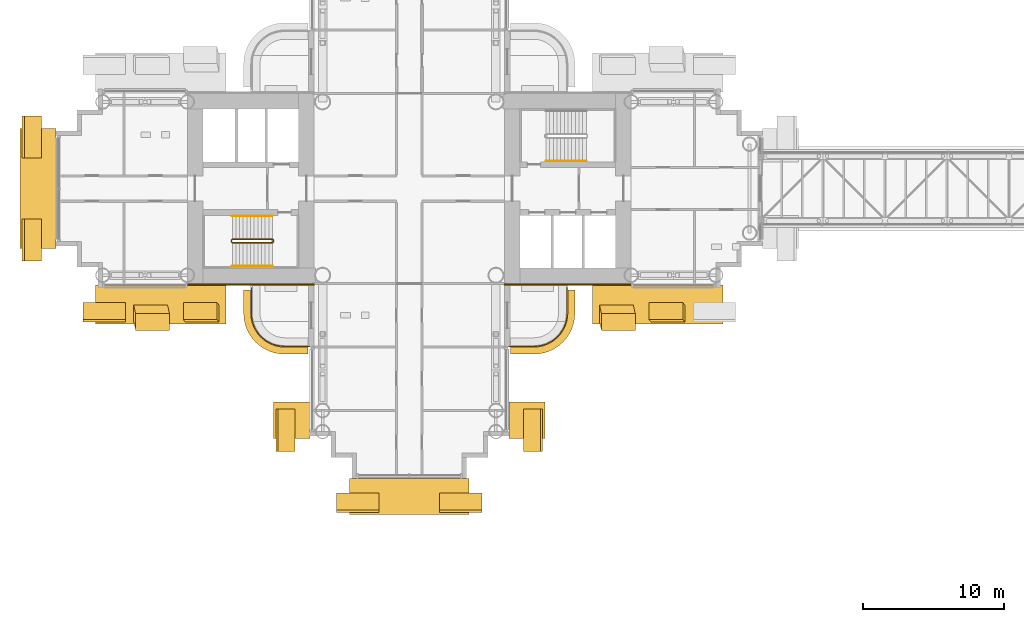
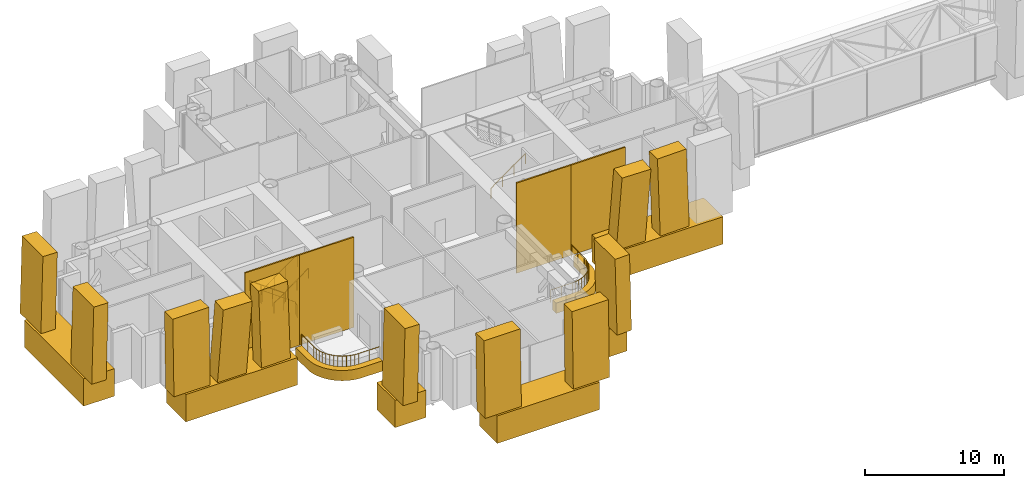
# One storey, part 23 of 27: 23 coverings, 6 railings.
"""IFC4 building model written with IfcOpenShell, lengths in metres."""

from ifc_helpers import new_model, si_unit, direction, frame, origin, origin_2d, place, context, subcontext, project, spatial, polyline, rectangle, circle, outline, extrude, material, layer, layer_set, material_profile, profile_set, type_object, element, save


model = new_model("IFC4")

# Units and contexts
model_context = context("Model", 3, precision=1e-05, world=origin(), true_north=direction((0.0, 1.0)))
body_context = subcontext(model_context, "Body", "Model", "MODEL_VIEW")
ifc_project = project(units=[si_unit("LENGTHUNIT", "METRE"), si_unit("AREAUNIT", "SQUARE_METRE"), si_unit("VOLUMEUNIT", "CUBIC_METRE"), si_unit("PLANEANGLEUNIT", "RADIAN"), si_unit("MASSUNIT", "GRAM", prefix="KILO")], contexts=[model_context])

# Site, building, storey
site_placement = place(None, origin())
site = spatial("IfcSite", under=ifc_project, at=site_placement, CompositionType="ELEMENT")
building_placement = place(site_placement, origin())
building = spatial("IfcBuilding", under=site, at=building_placement, Name="Ipe Terrace Towers", CompositionType="ELEMENT")
storey_placement = place(building_placement, frame((0.0, 0.0, 72.10009765625)))
storey = spatial("IfcBuildingStorey", under=building, at=storey_placement, Name="L19", CompositionType="ELEMENT", Elevation=72.10009765625)

# Railings
ifc_material_1 = material(Name="Stainless steel S316", Category="steel")
railing_type_1 = type_object("IfcRailingType", Name="GUARD 1100", PredefinedType="BALUSTRADE", material=ifc_material_1)
railing_1_placement = place(storey_placement, frame((-47.199951171875, -7.070068359375, -0.02001953125)))
element("IfcRailing", 1, at=railing_1_placement, inside=storey, type_object=railing_type_1, Name="guard", PredefinedType="BALUSTRADE", context=body_context, shape_type="SweptSolid", body=[
    extrude(circle(Radius=0.02392578125, at=origin_2d()), frame((0.0, 0.0, 1.076171875), z_axis=(0.0, -1.0, 0.0), x_axis=(1.0, 0.0, 0.0)), (0.0, 0.0, 1.0), 1.77783203125),
    extrude(circle(Radius=0.02392578125, at=origin_2d()), frame((0.0, -1.77783203125, 1.076171875), z_axis=(0.064635492184, -0.99790894031, 0.0), x_axis=(0.99790894031, 0.064635492184, 0.0)), (0.0, 0.0, 1.0), 0.309814453125),
    extrude(circle(Radius=0.02392578125, at=origin_2d()), frame((0.02001953125, -2.0869140625, 1.076171875), z_axis=(0.194892169718, -0.980824674538, 0.0), x_axis=(0.980824674538, 0.194892169718, 0.0)), (0.0, 0.0, 1.0), 0.306884765625),
    extrude(circle(Radius=0.02392578125, at=origin_2d()), frame((0.079833984375, -2.387939453125, 1.076171875), z_axis=(0.322415209212, -0.946598348228, 0.0), x_axis=(0.946598348228, 0.322415209212, 0.0)), (0.0, 0.0, 1.0), 0.307373046875),
    extrude(circle(Radius=0.02392578125, at=origin_2d()), frame((0.178955078125, -2.678955078125, 1.076171875), z_axis=(0.44212629539, -0.896952807524, 0.0), x_axis=(0.896952807524, 0.44212629539, 0.0)), (0.0, 0.0, 1.0), 0.3076171875),
    extrude(circle(Radius=0.02392578125, at=origin_2d()), frame((0.31494140625, -2.954833984375, 1.076171875), z_axis=(0.555066120228, -0.831806228742, 0.0), x_axis=(0.831806228742, 0.555066120228, 0.0)), (0.0, 0.0, 1.0), 0.307861328125),
    extrude(circle(Radius=0.02392578125, at=origin_2d()), frame((0.48583984375, -3.2109375, 1.076171875), z_axis=(0.658617227954, -0.752478137252, 0.0), x_axis=(0.752478137252, 0.658617227954, 0.0)), (0.0, 0.0, 1.0), 0.306884765625),
    extrude(circle(Radius=0.02392578125, at=origin_2d()), frame((0.68798828125, -3.44189453125, 1.076171875), z_axis=(0.752478137252, -0.658617227954, 0.0), x_axis=(0.658617227954, 0.752478137252, 0.0)), (0.0, 0.0, 1.0), 0.306884765625),
    extrude(circle(Radius=0.02392578125, at=origin_2d()), frame((0.9189453125, -3.64404296875, 1.076171875), z_axis=(0.831806228742, -0.555066120228, 0.0), x_axis=(0.555066120228, 0.831806228742, 0.0)), (0.0, 0.0, 1.0), 0.307861328125),
    extrude(circle(Radius=0.02392578125, at=origin_2d()), frame((1.175048828125, -3.81494140625, 1.076171875), z_axis=(0.896952807524, -0.44212629539, 0.0), x_axis=(0.44212629539, 0.896952807524, 0.0)), (0.0, 0.0, 1.0), 0.3076171875),
    extrude(circle(Radius=0.02392578125, at=origin_2d()), frame((1.450927734375, -3.950927734375, 1.076171875), z_axis=(0.946598348228, -0.322415209212, 0.0), x_axis=(0.322415209212, 0.946598348228, 0.0)), (0.0, 0.0, 1.0), 0.307373046875),
    extrude(circle(Radius=0.02392578125, at=origin_2d()), frame((1.741943359375, -4.050048828125, 1.076171875), z_axis=(0.980824674538, -0.194892169718, 0.0), x_axis=(0.194892169718, 0.980824674538, 0.0)), (0.0, 0.0, 1.0), 0.306884765625),
    extrude(circle(Radius=0.02392578125, at=origin_2d()), frame((2.04296875, -4.10986328125, 1.076171875), z_axis=(0.99790894031, -0.064635492184, 0.0), x_axis=(0.064635492184, 0.99790894031, 0.0)), (0.0, 0.0, 1.0), 0.309814453125),
    extrude(circle(Radius=0.02392578125, at=origin_2d()), frame((2.35205078125, -4.1298828125, 1.076171875), z_axis=(1.0, 0.0, 0.0), x_axis=(0.0, 1.0, 0.0)), (0.0, 0.0, 1.0), 1.77783203125),
    extrude(circle(Radius=0.02099609375, at=origin_2d()), origin(), (0.0, 0.0, 1.0), 1.052001953125),
    extrude(circle(Radius=0.02099609375, at=origin_2d()), frame((0.0, -0.888916015625, 0.0)), (0.0, 0.0, 1.0), 1.052001953125),
    extrude(circle(Radius=0.02099609375, at=origin_2d()), frame((0.0, -1.77783203125, 0.0)), (0.0, 0.0, 1.0), 1.052001953125),
    extrude(circle(Radius=0.02099609375, at=origin_2d()), frame((0.02001953125, -2.0869140625, 0.0)), (0.0, 0.0, 1.0), 1.052001953125),
    extrude(circle(Radius=0.02099609375, at=origin_2d()), frame((0.079833984375, -2.387939453125, 0.0)), (0.0, 0.0, 1.0), 1.052001953125),
    extrude(circle(Radius=0.02099609375, at=origin_2d()), frame((0.178955078125, -2.678955078125, 0.0)), (0.0, 0.0, 1.0), 1.052001953125),
    extrude(circle(Radius=0.02099609375, at=origin_2d()), frame((0.31494140625, -2.954833984375, 0.0)), (0.0, 0.0, 1.0), 1.052001953125),
    extrude(circle(Radius=0.02099609375, at=origin_2d()), frame((0.48583984375, -3.2109375, 0.0)), (0.0, 0.0, 1.0), 1.052001953125),
    extrude(circle(Radius=0.02099609375, at=origin_2d()), frame((0.68798828125, -3.44189453125, 0.0)), (0.0, 0.0, 1.0), 1.052001953125),
    extrude(circle(Radius=0.02099609375, at=origin_2d()), frame((0.9189453125, -3.64404296875, 0.0)), (0.0, 0.0, 1.0), 1.052001953125),
    extrude(circle(Radius=0.02099609375, at=origin_2d()), frame((1.175048828125, -3.81494140625, 0.0)), (0.0, 0.0, 1.0), 1.052001953125),
    extrude(circle(Radius=0.02099609375, at=origin_2d()), frame((1.450927734375, -3.950927734375, 0.0)), (0.0, 0.0, 1.0), 1.052001953125),
    extrude(circle(Radius=0.02099609375, at=origin_2d()), frame((1.741943359375, -4.050048828125, 0.0)), (0.0, 0.0, 1.0), 1.052001953125),
    extrude(circle(Radius=0.02099609375, at=origin_2d()), frame((2.04296875, -4.10986328125, 0.0)), (0.0, 0.0, 1.0), 1.052001953125),
    extrude(circle(Radius=0.02099609375, at=origin_2d()), frame((2.35205078125, -4.1298828125, 0.0)), (0.0, 0.0, 1.0), 1.052001953125),
    extrude(circle(Radius=0.02099609375, at=origin_2d()), frame((3.240966796875, -4.1298828125, 0.0)), (0.0, 0.0, 1.0), 1.052001953125),
    extrude(circle(Radius=0.02099609375, at=origin_2d()), frame((4.1298828125, -4.1298828125, 0.0)), (0.0, 0.0, 1.0), 1.052001953125),
])
railing_2_placement = place(storey_placement, frame((-28.929931640625, -11.199951171875, -0.02001953125)))
element("IfcRailing", 2, at=railing_2_placement, inside=storey, type_object=railing_type_1, Name="guard", PredefinedType="BALUSTRADE", context=body_context, shape_type="SweptSolid", body=[
    extrude(circle(Radius=0.02392578125, at=origin_2d()), frame((0.0, 0.0, 1.076171875), z_axis=(1.0, 0.0, 0.0), x_axis=(0.0, 1.0, 0.0)), (0.0, 0.0, 1.0), 1.77783203125),
    extrude(circle(Radius=0.02392578125, at=origin_2d()), frame((1.77783203125, 0.0, 1.076171875), z_axis=(0.99790894031, 0.064635492184, 0.0), x_axis=(-0.064635492184, 0.99790894031, 0.0)), (0.0, 0.0, 1.0), 0.309814453125),
    extrude(circle(Radius=0.02392578125, at=origin_2d()), frame((2.0869140625, 0.02001953125, 1.076171875), z_axis=(0.980824674538, 0.194892169718, 0.0), x_axis=(-0.194892169718, 0.980824674538, 0.0)), (0.0, 0.0, 1.0), 0.306884765625),
    extrude(circle(Radius=0.02392578125, at=origin_2d()), frame((2.387939453125, 0.079833984375, 1.076171875), z_axis=(0.946598348228, 0.322415209212, 0.0), x_axis=(-0.322415209212, 0.946598348228, 0.0)), (0.0, 0.0, 1.0), 0.307373046875),
    extrude(circle(Radius=0.02392578125, at=origin_2d()), frame((2.678955078125, 0.178955078125, 1.076171875), z_axis=(0.896952807524, 0.44212629539, 0.0), x_axis=(-0.44212629539, 0.896952807524, 0.0)), (0.0, 0.0, 1.0), 0.3076171875),
    extrude(circle(Radius=0.02392578125, at=origin_2d()), frame((2.954833984375, 0.31494140625, 1.076171875), z_axis=(0.831806228742, 0.555066120228, 0.0), x_axis=(-0.555066120228, 0.831806228742, 0.0)), (0.0, 0.0, 1.0), 0.307861328125),
    extrude(circle(Radius=0.02392578125, at=origin_2d()), frame((3.2109375, 0.48583984375, 1.076171875), z_axis=(0.752478137252, 0.658617227954, 0.0), x_axis=(-0.658617227954, 0.752478137252, 0.0)), (0.0, 0.0, 1.0), 0.306884765625),
    extrude(circle(Radius=0.02392578125, at=origin_2d()), frame((3.44189453125, 0.68798828125, 1.076171875), z_axis=(0.658617227954, 0.752478137252, 0.0), x_axis=(-0.752478137252, 0.658617227954, 0.0)), (0.0, 0.0, 1.0), 0.306884765625),
    extrude(circle(Radius=0.02392578125, at=origin_2d()), frame((3.64404296875, 0.9189453125, 1.076171875), z_axis=(0.555066120228, 0.831806228742, 0.0), x_axis=(-0.831806228742, 0.555066120228, 0.0)), (0.0, 0.0, 1.0), 0.307861328125),
    extrude(circle(Radius=0.02392578125, at=origin_2d()), frame((3.81494140625, 1.175048828125, 1.076171875), z_axis=(0.44212629539, 0.896952807524, 0.0), x_axis=(-0.896952807524, 0.44212629539, 0.0)), (0.0, 0.0, 1.0), 0.3076171875),
    extrude(circle(Radius=0.02392578125, at=origin_2d()), frame((3.950927734375, 1.450927734375, 1.076171875), z_axis=(0.322415209212, 0.946598348228, 0.0), x_axis=(-0.946598348228, 0.322415209212, 0.0)), (0.0, 0.0, 1.0), 0.307373046875),
    extrude(circle(Radius=0.02392578125, at=origin_2d()), frame((4.050048828125, 1.741943359375, 1.076171875), z_axis=(0.194892169718, 0.980824674538, 0.0), x_axis=(-0.980824674538, 0.194892169718, 0.0)), (0.0, 0.0, 1.0), 0.306884765625),
    extrude(circle(Radius=0.02392578125, at=origin_2d()), frame((4.10986328125, 2.04296875, 1.076171875), z_axis=(0.064635492184, 0.99790894031, 0.0), x_axis=(-0.99790894031, 0.064635492184, 0.0)), (0.0, 0.0, 1.0), 0.309814453125),
    extrude(circle(Radius=0.02392578125, at=origin_2d()), frame((4.1298828125, 2.35205078125, 1.076171875), z_axis=(0.0, 1.0, 0.0), x_axis=(-1.0, 0.0, 0.0)), (0.0, 0.0, 1.0), 1.77783203125),
    extrude(circle(Radius=0.02099609375, at=origin_2d()), origin(), (0.0, 0.0, 1.0), 1.052001953125),
    extrude(circle(Radius=0.02099609375, at=origin_2d()), frame((0.888916015625, 0.0, 0.0)), (0.0, 0.0, 1.0), 1.052001953125),
    extrude(circle(Radius=0.02099609375, at=origin_2d()), frame((1.77783203125, 0.0, 0.0)), (0.0, 0.0, 1.0), 1.052001953125),
    extrude(circle(Radius=0.02099609375, at=origin_2d()), frame((2.0869140625, 0.02001953125, 0.0)), (0.0, 0.0, 1.0), 1.052001953125),
    extrude(circle(Radius=0.02099609375, at=origin_2d()), frame((2.387939453125, 0.079833984375, 0.0)), (0.0, 0.0, 1.0), 1.052001953125),
    extrude(circle(Radius=0.02099609375, at=origin_2d()), frame((2.678955078125, 0.178955078125, 0.0)), (0.0, 0.0, 1.0), 1.052001953125),
    extrude(circle(Radius=0.02099609375, at=origin_2d()), frame((2.954833984375, 0.31494140625, 0.0)), (0.0, 0.0, 1.0), 1.052001953125),
    extrude(circle(Radius=0.02099609375, at=origin_2d()), frame((3.2109375, 0.48583984375, 0.0)), (0.0, 0.0, 1.0), 1.052001953125),
    extrude(circle(Radius=0.02099609375, at=origin_2d()), frame((3.44189453125, 0.68798828125, 0.0)), (0.0, 0.0, 1.0), 1.052001953125),
    extrude(circle(Radius=0.02099609375, at=origin_2d()), frame((3.64404296875, 0.9189453125, 0.0)), (0.0, 0.0, 1.0), 1.052001953125),
    extrude(circle(Radius=0.02099609375, at=origin_2d()), frame((3.81494140625, 1.175048828125, 0.0)), (0.0, 0.0, 1.0), 1.052001953125),
    extrude(circle(Radius=0.02099609375, at=origin_2d()), frame((3.950927734375, 1.450927734375, 0.0)), (0.0, 0.0, 1.0), 1.052001953125),
    extrude(circle(Radius=0.02099609375, at=origin_2d()), frame((4.050048828125, 1.741943359375, 0.0)), (0.0, 0.0, 1.0), 1.052001953125),
    extrude(circle(Radius=0.02099609375, at=origin_2d()), frame((4.10986328125, 2.04296875, 0.0)), (0.0, 0.0, 1.0), 1.052001953125),
    extrude(circle(Radius=0.02099609375, at=origin_2d()), frame((4.1298828125, 2.35205078125, 0.0)), (0.0, 0.0, 1.0), 1.052001953125),
    extrude(circle(Radius=0.02099609375, at=origin_2d()), frame((4.1298828125, 3.240966796875, 0.0)), (0.0, 0.0, 1.0), 1.052001953125),
    extrude(circle(Radius=0.02099609375, at=origin_2d()), frame((4.1298828125, 4.1298828125, 0.0)), (0.0, 0.0, 1.0), 1.052001953125),
])

# Coverings
ifc_material_2 = material(Name="Concrete C50/60 precast, buff finish", Category="concrete")
ifc_layer_1 = layer(ifc_material_2, 0.1201171875)
ifc_layer_set_1 = layer_set([ifc_layer_1], Name="STONE CORE CLADDING 120")
covering_type_1 = type_object("IfcCoveringType", Name="STONE CORE CLADDING 120", PredefinedType="CLADDING", material=ifc_layer_set_1)
covering_1_placement = place(storey_placement, frame((-49.5009765625, -6.81005859375, 0.0), z_axis=(0.0, 0.0, 1.0), x_axis=(1.0, 0.0, 0.0)))
element("IfcCovering", 3, at=covering_1_placement, inside=storey, type_object=covering_type_1, Name="stone core cladding", PredefinedType="CLADDING", context=body_context, shape_type="SweptSolid", body=[
    extrude(rectangle(XDim=4.5009765625, YDim=0.1201171875, at=origin_2d()), origin(), (0.0, 0.0, 1.0), 7.89990234375),
])
for number, where, z_axis, x_axis, name in (
    (4, (-45.0, -6.81005859375, 0.0), (0.0, 0.0, 1.0), (1.0, 0.0, 0.0), "stone core cladding"),
    (5, (-27.0, -6.81005859375, 0.0), (0.0, 0.0, 1.0), (1.0, 0.0, 0.0), "stone core cladding"),
):
    element("IfcCovering", number, at=place(storey_placement, frame(where, z_axis=z_axis, x_axis=x_axis)), inside=storey, type_object=covering_type_1, Name=name, PredefinedType="CLADDING", context=body_context, shape_type="SweptSolid", body=[
        extrude(rectangle(XDim=4.5, YDim=0.1201171875, at=origin_2d()), origin(), (0.0, 0.0, 1.0), 7.89990234375),
    ])
covering_2_placement = place(storey_placement, frame((-22.4990234375, -6.81005859375, 0.0), z_axis=(0.0, 0.0, 1.0), x_axis=(1.0, 0.0, 0.0)))
element("IfcCovering", 6, at=covering_2_placement, inside=storey, type_object=covering_type_1, Name="stone core cladding", PredefinedType="CLADDING", context=body_context, shape_type="SweptSolid", body=[
    extrude(rectangle(XDim=4.5009765625, YDim=0.1201171875, at=origin_2d()), origin(), (0.0, 0.0, 1.0), 7.89990234375),
])
ifc_material_3 = material(Name="Concrete C50/60 precast, buff finish", Category="concrete")
ifc_layer_2 = layer(ifc_material_3, 0.5)
ifc_layer_set_2 = layer_set([ifc_layer_2], Name="STONE EDGE BAND 500 x 900")
covering_type_2 = type_object("IfcCoveringType", Name="STONE EDGE BAND 500 x 900", PredefinedType="CLADDING", material=ifc_layer_set_2)
covering_3_placement = place(storey_placement, frame((0.0, 0.0, -0.72021484375)))
element("IfcCovering", 7, at=covering_3_placement, inside=storey, type_object=covering_type_2, Name="stone edge band", PredefinedType="CLADDING", context=body_context, shape_type="SweptSolid", body=[
    extrude(outline(polyline([(-44.85009765625, -11.75), (-43.199951171875, -11.75), (-43.199951171875, -11.25), (-44.85009765625, -11.25), (-45.1630859375, -11.22900390625), (-45.470947265625, -11.16796875), (-45.76806640625, -11.06689453125), (-46.050048828125, -10.927978515625), (-46.31103515625, -10.75390625), (-46.547119140625, -10.547119140625), (-46.75390625, -10.31103515625), (-46.927978515625, -10.050048828125), (-47.06689453125, -9.76806640625), (-47.16796875, -9.470947265625), (-47.22900390625, -9.1630859375), (-47.25, -8.85009765625), (-47.25, -7.199951171875), (-47.75, -7.199951171875), (-47.75, -8.85009765625), (-47.7490234375, -8.883056640625), (-47.72802734375, -9.196044921875), (-47.719970703125, -9.260986328125), (-47.658935546875, -9.569091796875), (-47.64208984375, -9.632080078125), (-47.541015625, -9.928955078125), (-47.51611328125, -9.989990234375), (-47.376953125, -10.27099609375), (-47.343994140625, -10.327880859375), (-47.169921875, -10.589111328125), (-47.1298828125, -10.64111328125), (-46.923095703125, -10.876953125), (-46.876953125, -10.923095703125), (-46.64111328125, -11.1298828125), (-46.589111328125, -11.169921875), (-46.327880859375, -11.343994140625), (-46.27099609375, -11.376953125), (-45.989990234375, -11.51611328125), (-45.928955078125, -11.541015625), (-45.632080078125, -11.64208984375), (-45.569091796875, -11.658935546875), (-45.260986328125, -11.719970703125), (-45.196044921875, -11.72802734375), (-44.883056640625, -11.7490234375), (-44.85009765625, -11.75)])), origin(), (0.0, 0.0, 1.0), 0.900146484375),
])
covering_4_placement = place(storey_placement, frame((0.0, 0.0, -0.72021484375)))
element("IfcCovering", 8, at=covering_4_placement, inside=storey, type_object=covering_type_2, Name="stone edge band", PredefinedType="CLADDING", context=body_context, shape_type="SweptSolid", body=[
    extrude(outline(polyline([(-27.14990234375, -11.75), (-27.116943359375, -11.7490234375), (-26.803955078125, -11.72802734375), (-26.739013671875, -11.719970703125), (-26.430908203125, -11.658935546875), (-26.367919921875, -11.64208984375), (-26.071044921875, -11.541015625), (-26.010009765625, -11.51611328125), (-25.72900390625, -11.376953125), (-25.672119140625, -11.343994140625), (-25.410888671875, -11.169921875), (-25.35888671875, -11.1298828125), (-25.123046875, -10.923095703125), (-25.076904296875, -10.876953125), (-24.8701171875, -10.64111328125), (-24.830078125, -10.589111328125), (-24.656005859375, -10.327880859375), (-24.623046875, -10.27099609375), (-24.48388671875, -9.989990234375), (-24.458984375, -9.928955078125), (-24.35791015625, -9.632080078125), (-24.341064453125, -9.569091796875), (-24.280029296875, -9.260986328125), (-24.27197265625, -9.196044921875), (-24.2509765625, -8.883056640625), (-24.25, -8.85009765625), (-24.25, -7.199951171875), (-24.75, -7.199951171875), (-24.75, -8.85009765625), (-24.77099609375, -9.1630859375), (-24.83203125, -9.470947265625), (-24.93310546875, -9.76806640625), (-25.072021484375, -10.050048828125), (-25.24609375, -10.31103515625), (-25.452880859375, -10.547119140625), (-25.68896484375, -10.75390625), (-25.949951171875, -10.927978515625), (-26.23193359375, -11.06689453125), (-26.529052734375, -11.16796875), (-26.8369140625, -11.22900390625), (-27.14990234375, -11.25), (-28.800048828125, -11.25), (-28.800048828125, -11.75), (-27.14990234375, -11.75)])), origin(), (0.0, 0.0, 1.0), 0.900146484375),
])
ifc_material_4 = material(Name="Concrete C50/60 precast, buff finish", Category="concrete")
ifc_material_profile_1 = material_profile(ifc_material_4, rectangle(XDim=2.39990234375, YDim=1.199951171875, at=origin_2d()), Name="STONE FIN 2400 x 1200")
ifc_profile_set_1 = profile_set([ifc_material_profile_1], Name="Concrete C50/60 precast, buff finish")
covering_type_3 = type_object("IfcCoveringType", Name="STONE FIN 2400 x 1200", PredefinedType="USERDEFINED", material=ifc_profile_set_1)
covering_5_placement = place(storey_placement, frame((-21.300048828125, -8.8701171875, 1.199951171875), z_axis=(0.020210245286, -0.089912006855, 0.995744634436), x_axis=(0.999795752134, 0.001817514937, -0.020128354477)))
element("IfcCovering", 9, at=covering_5_placement, inside=storey, type_object=covering_type_3, Name="stone fin", ObjectType="FIN", PredefinedType="USERDEFINED", context=body_context, shape_type="SweptSolid", body=[
    extrude(rectangle(XDim=2.39990234375, YDim=1.199951171875, at=origin_2d()), origin(), (0.0, 0.0, 1.0), 6.728515625),
])
covering_6_placement = place(storey_placement, frame((-17.64990234375, -8.8701171875, 1.199951171875), z_axis=(-0.020286045552, 0.025093510566, 0.999479260457), x_axis=(0.999794217005, 0.000509152872, 0.020279655014)))
element("IfcCovering", 10, at=covering_6_placement, inside=storey, type_object=covering_type_3, Name="stone fin", ObjectType="FIN", PredefinedType="USERDEFINED", context=body_context, shape_type="SweptSolid", body=[
    extrude(rectangle(XDim=2.39990234375, YDim=1.199951171875, at=origin_2d()), origin(), (0.0, 0.0, 1.0), 6.703369140625),
])
covering_7_placement = place(storey_placement, frame((-54.35009765625, -8.8701171875, 1.199951171875), z_axis=(0.020210245286, -0.089912006855, 0.995744634436), x_axis=(0.999795752134, 0.001817514937, -0.020128354477)))
element("IfcCovering", 11, at=covering_7_placement, inside=storey, type_object=covering_type_3, Name="stone fin", ObjectType="FIN", PredefinedType="USERDEFINED", context=body_context, shape_type="SweptSolid", body=[
    extrude(rectangle(XDim=2.39990234375, YDim=1.199951171875, at=origin_2d()), origin(), (0.0, 0.0, 1.0), 6.728515625),
])
covering_8_placement = place(storey_placement, frame((-50.699951171875, -8.8701171875, 1.199951171875), z_axis=(-0.020286045552, 0.025093510566, 0.999479260457), x_axis=(0.999794217005, 0.000509152872, 0.020279655014)))
element("IfcCovering", 12, at=covering_8_placement, inside=storey, type_object=covering_type_3, Name="stone fin", ObjectType="FIN", PredefinedType="USERDEFINED", context=body_context, shape_type="SweptSolid", body=[
    extrude(rectangle(XDim=2.39990234375, YDim=1.199951171875, at=origin_2d()), origin(), (0.0, 0.0, 1.0), 6.703369140625),
])
ifc_material_5 = material(Name="Concrete C50/60 precast, buff finish", Category="concrete")
ifc_material_profile_2 = material_profile(ifc_material_5, rectangle(XDim=3.0, YDim=1.199951171875, at=origin_2d()), Name="STONE FIN CORNER 3000 x 1200")
ifc_profile_set_2 = profile_set([ifc_material_profile_2], Name="Concrete C50/60 precast, buff finish")
covering_type_4 = type_object("IfcCoveringType", Name="STONE FIN CORNER 3000 x 1200", PredefinedType="USERDEFINED", material=ifc_profile_set_2)
for number, where, z_axis, x_axis, name in (
    (13, (-27.1298828125, -17.14990234375, 1.199951171875), (-0.025098675446, 0.0, 0.999684978626), (0.0, 1.0, 0.0), "stone fin"),
    (14, (-32.35009765625, -22.3701171875, 1.199951171875), (0.0, 0.025098675446, 0.999684978626), (1.0, 0.0, 0.0), "stone fin"),
    (15, (-39.64990234375, -22.3701171875, 1.199951171875), (0.0, 0.025098675446, 0.999684978626), (1.0, 0.0, 0.0), "stone fin"),
    (16, (-44.8701171875, -17.14990234375, 1.199951171875), (0.025098675446, 0.0, 0.999684978626), (0.0, -1.0, 0.0), "stone fin"),
    (17, (-57.64990234375, -8.8701171875, 1.199951171875), (0.0, 0.025098675446, 0.999684978626), (1.0, 0.0, 0.0), "stone fin"),
    (18, (-62.8701171875, -3.64990234375, 1.199951171875), (0.025098675446, 0.0, 0.999684978626), (0.0, -1.0, 0.0), "stone fin"),
    (19, (-62.8701171875, 3.64990234375, 1.199951171875), (0.025098675446, 0.0, 0.999684978626), (0.0, -1.0, 0.0), "stone fin"),
):
    element("IfcCovering", number, at=place(storey_placement, frame(where, z_axis=z_axis, x_axis=x_axis)), inside=storey, type_object=covering_type_4, Name=name, ObjectType="FIN", PredefinedType="USERDEFINED", context=body_context, shape_type="SweptSolid", body=[
        extrude(rectangle(XDim=3.0, YDim=1.199951171875, at=origin_2d()), origin(), (0.0, 0.0, 1.0), 6.7021484375),
    ])
ifc_material_6 = material(Name="Concrete C50/60 precast, buff finish", Category="concrete")
ifc_material_profile_3 = material_profile(ifc_material_6, rectangle(XDim=2.56005859375, YDim=2.39990234375, at=origin_2d()), Name="STONE FIN SPANDREL 2560 x 2400")
ifc_profile_set_3 = profile_set([ifc_material_profile_3], Name="Concrete C50/60 precast, buff finish")
covering_type_5 = type_object("IfcCoveringType", Name="STONE FIN SPANDREL 2560 x 2400", PredefinedType="CLADDING", material=ifc_profile_set_3)
covering_9_placement = place(storey_placement, frame((-44.340087890625, -15.14990234375, 0.0), z_axis=(0.0, -1.0, 0.0), x_axis=(-1.0, 0.0, 0.0)))
element("IfcCovering", 20, at=covering_9_placement, inside=storey, type_object=covering_type_5, Name="stone fin spandrel", PredefinedType="CLADDING", context=body_context, shape_type="SweptSolid", body=[
    extrude(rectangle(XDim=2.56005859375, YDim=2.39990234375, at=origin_2d()), origin(), (0.0, 0.0, 1.0), 2.60009765625),
])
covering_10_placement = place(storey_placement, frame((-40.25, -21.840087890625, 0.0), z_axis=(1.0, 0.0, 0.0), x_axis=(0.0, -1.0, 0.0)))
element("IfcCovering", 21, at=covering_10_placement, inside=storey, type_object=covering_type_5, Name="stone fin spandrel", PredefinedType="CLADDING", context=body_context, shape_type="SweptSolid", body=[
    extrude(rectangle(XDim=2.56005859375, YDim=2.39990234375, at=origin_2d()), origin(), (0.0, 0.0, 1.0), 8.5),
])
covering_11_placement = place(storey_placement, frame((-27.659912109375, -17.75, 0.0), z_axis=(0.0, 1.0, 0.0), x_axis=(1.0, 0.0, 0.0)))
element("IfcCovering", 22, at=covering_11_placement, inside=storey, type_object=covering_type_5, Name="stone fin spandrel", PredefinedType="CLADDING", context=body_context, shape_type="SweptSolid", body=[
    extrude(rectangle(XDim=2.56005859375, YDim=2.39990234375, at=origin_2d()), origin(), (0.0, 0.0, 1.0), 2.60009765625),
])
covering_12_placement = place(storey_placement, frame((-62.340087890625, 4.25, 0.0), z_axis=(0.0, -1.0, 0.0), x_axis=(-1.0, 0.0, 0.0)))
element("IfcCovering", 23, at=covering_12_placement, inside=storey, type_object=covering_type_5, Name="stone fin spandrel", PredefinedType="CLADDING", context=body_context, shape_type="SweptSolid", body=[
    extrude(rectangle(XDim=2.56005859375, YDim=2.39990234375, at=origin_2d()), origin(), (0.0, 0.0, 1.0), 8.5),
])
ifc_material_7 = material(Name="Concrete C50/60 precast, buff finish", Category="concrete")
ifc_material_profile_4 = material_profile(ifc_material_7, rectangle(XDim=2.760009765625, YDim=2.39990234375, at=origin_2d()), Name="STONE FIN SPANDREL 2760 x 2400")
ifc_profile_set_4 = profile_set([ifc_material_profile_4], Name="Concrete C50/60 precast, buff finish")
covering_type_6 = type_object("IfcCoveringType", Name="STONE FIN SPANDREL 2760 x 2400", PredefinedType="CLADDING", material=ifc_profile_set_4)
for number, where, z_axis, x_axis, name in (
    (24, (-58.25, -8.239990234375, 0.0), (1.0, 0.0, 0.0), (0.0, -1.0, 0.0), "stone fin spandrel"),
    (25, (-23.0, -8.239990234375, 0.0), (1.0, 0.0, 0.0), (0.0, -1.0, 0.0), "stone fin spandrel"),
):
    element("IfcCovering", number, at=place(storey_placement, frame(where, z_axis=z_axis, x_axis=x_axis)), inside=storey, type_object=covering_type_6, Name=name, PredefinedType="CLADDING", context=body_context, shape_type="SweptSolid", body=[
        extrude(rectangle(XDim=2.760009765625, YDim=2.39990234375, at=origin_2d()), origin(), (0.0, 0.0, 1.0), 9.25),
    ])

# Railings
ifc_material_8 = material(Name="Steel S355", Category="steel")
railing_type_2 = type_object("IfcRailingType", Name="Stair guard 1100", PredefinedType="GUARDRAIL", material=ifc_material_8)
railing_3_placement = place(storey_placement, frame((-45.64990234375, -3.800048828125, 0.0)))
element("IfcRailing", 26, at=railing_3_placement, inside=storey, type_object=railing_type_2, Name="L19 T1-ST2 stair guard 1", PredefinedType="GUARDRAIL", context=body_context, shape_type="SweptSolid", body=[
    extrude(circle(Radius=0.02392578125, at=origin_2d()), frame((0.0, 0.0, 1.076171875), z_axis=(0.0, 1.0, 0.0), x_axis=(-1.0, 0.0, 0.0)), (0.0, 0.0, 1.0), 0.150146484375),
    extrude(circle(Radius=0.02392578125, at=origin_2d()), frame((0.0, 0.150146484375, 1.076171875), z_axis=(-0.249802250048, 0.248583702486, 0.935844527007), x_axis=(-0.705375805398, -0.708833529934, 0.0)), (0.0, 0.0, 1.0), 0.200439453125),
    extrude(circle(Radius=0.02392578125, at=origin_2d()), frame((-0.050048828125, 0.199951171875, 1.263671875), z_axis=(-0.811100754333, 0.0, 0.584906459462), x_axis=(0.0, -1.0, 0.0)), (0.0, 0.0, 1.0), 3.526123046875),
    extrude(circle(Radius=0.02392578125, at=origin_2d()), frame((-2.91015625, 0.199951171875, 3.326171875), z_axis=(-0.708833529934, -0.705375805398, 0.0), x_axis=(0.705375805398, -0.708833529934, 0.0)), (0.0, 0.0, 1.0), 0.070556640625),
    extrude(circle(Radius=0.02392578125, at=origin_2d()), frame((-2.960205078125, 0.150146484375, 3.326171875), z_axis=(0.0, -1.0, 0.0), x_axis=(1.0, 0.0, 0.0)), (0.0, 0.0, 1.0), 0.150146484375),
    extrude(circle(Radius=0.02392578125, at=origin_2d()), frame((-2.960205078125, 0.0, 3.326171875), z_axis=(0.249726431254, -0.249726431254, 0.935560483917), x_axis=(0.707106781187, 0.707106781187, 0.0)), (0.0, 0.0, 1.0), 0.200439453125),
    extrude(circle(Radius=0.02392578125, at=origin_2d()), frame((-2.91015625, -0.050048828125, 3.513671875), z_axis=(0.811100754333, 0.0, 0.584906459462), x_axis=(0.0, 1.0, 0.0)), (0.0, 0.0, 1.0), 3.526123046875),
    extrude(circle(Radius=0.02099609375, at=origin_2d()), origin(), (0.0, 0.0, 1.0), 1.052001953125),
    extrude(circle(Radius=0.02099609375, at=origin_2d()), frame((0.0, 0.150146484375, 0.0)), (0.0, 0.0, 1.0), 1.052001953125),
    extrude(circle(Radius=0.02099609375, at=origin_2d()), frame((-0.050048828125, 0.199951171875, 0.1875)), (0.0, 0.0, 1.0), 1.052001953125),
    extrude(circle(Radius=0.02099609375, at=origin_2d()), frame((-1.00341796875, 0.199951171875, 0.875)), (0.0, 0.0, 1.0), 1.052001953125),
    extrude(circle(Radius=0.02099609375, at=origin_2d()), frame((-1.956787109375, 0.199951171875, 1.5625)), (0.0, 0.0, 1.0), 1.052001953125),
    extrude(circle(Radius=0.02099609375, at=origin_2d()), frame((-2.91015625, 0.199951171875, 2.25)), (0.0, 0.0, 1.0), 1.052001953125),
    extrude(circle(Radius=0.02099609375, at=origin_2d()), frame((-2.960205078125, 0.150146484375, 2.25)), (0.0, 0.0, 1.0), 1.052001953125),
    extrude(circle(Radius=0.02099609375, at=origin_2d()), frame((-2.960205078125, 0.0, 2.25)), (0.0, 0.0, 1.0), 1.052001953125),
    extrude(circle(Radius=0.02099609375, at=origin_2d()), frame((-2.91015625, -0.050048828125, 2.4375)), (0.0, 0.0, 1.0), 1.052001953125),
    extrude(circle(Radius=0.02099609375, at=origin_2d()), frame((-1.956787109375, -0.050048828125, 3.125)), (0.0, 0.0, 1.0), 1.052001953125),
    extrude(circle(Radius=0.02099609375, at=origin_2d()), frame((-1.00341796875, -0.050048828125, 3.8125)), (0.0, 0.0, 1.0), 1.052001953125),
    extrude(circle(Radius=0.02099609375, at=origin_2d()), frame((-0.050048828125, -0.050048828125, 4.5)), (0.0, 0.0, 1.0), 1.052001953125),
])
ifc_material_9 = material(Name="Stainless steel grade 304", Category="steel")
railing_type_3 = type_object("IfcRailingType", Name="Stair handrail 900", PredefinedType="HANDRAIL", material=ifc_material_9)
railing_4_placement = place(storey_placement, frame((-26.300048828125, 1.949951171875, 0.1875)))
element("IfcRailing", 27, at=railing_4_placement, inside=storey, type_object=railing_type_3, Name="L19 T1-ST1 stair handrail 1", PredefinedType="HANDRAIL", context=body_context, shape_type="SweptSolid", body=[
    extrude(circle(Radius=0.02392578125, at=origin_2d()), frame((0.0, 0.0, 0.8759765625), z_axis=(0.811100754333, 0.0, 0.584906459462), x_axis=(0.0, 1.0, 0.0)), (0.0, 0.0, 1.0), 3.526123046875),
    extrude(circle(Radius=0.02099609375, at=origin_2d()), origin(), (0.0, 0.0, 1.0), 0.851806640625),
    extrude(circle(Radius=0.02099609375, at=origin_2d()), frame((0.953369140625, 0.0, 0.6875)), (0.0, 0.0, 1.0), 0.851806640625),
    extrude(circle(Radius=0.02099609375, at=origin_2d()), frame((1.90673828125, 0.0, 1.375)), (0.0, 0.0, 1.0), 0.851806640625),
    extrude(circle(Radius=0.02099609375, at=origin_2d()), frame((2.860107421875, 0.0, 2.0625)), (0.0, 0.0, 1.0), 0.851806640625),
])
railing_5_placement = place(storey_placement, frame((-45.699951171875, -1.949951171875, 0.1875)))
element("IfcRailing", 28, at=railing_5_placement, inside=storey, type_object=railing_type_3, Name="L19 T1-ST2 stair handrail 1", PredefinedType="HANDRAIL", context=body_context, shape_type="SweptSolid", body=[
    extrude(circle(Radius=0.02392578125, at=origin_2d()), frame((0.0, 0.0, 0.8759765625), z_axis=(-0.811100754333, 0.0, 0.584906459462), x_axis=(0.0, -1.0, 0.0)), (0.0, 0.0, 1.0), 3.526123046875),
    extrude(circle(Radius=0.02099609375, at=origin_2d()), origin(), (0.0, 0.0, 1.0), 0.851806640625),
    extrude(circle(Radius=0.02099609375, at=origin_2d()), frame((-0.953369140625, 0.0, 0.6875)), (0.0, 0.0, 1.0), 0.851806640625),
    extrude(circle(Radius=0.02099609375, at=origin_2d()), frame((-1.90673828125, 0.0, 1.375)), (0.0, 0.0, 1.0), 0.851806640625),
    extrude(circle(Radius=0.02099609375, at=origin_2d()), frame((-2.860107421875, 0.0, 2.0625)), (0.0, 0.0, 1.0), 0.851806640625),
])
railing_6_placement = place(storey_placement, frame((-48.56005859375, -5.5, 2.4375)))
element("IfcRailing", 29, at=railing_6_placement, inside=storey, type_object=railing_type_3, Name="L19 T1-ST2 stair handrail 2", PredefinedType="HANDRAIL", context=body_context, shape_type="SweptSolid", body=[
    extrude(circle(Radius=0.02392578125, at=origin_2d()), frame((0.0, 0.0, 0.8759765625), z_axis=(0.811100754333, 0.0, 0.584906459462), x_axis=(0.0, 1.0, 0.0)), (0.0, 0.0, 1.0), 3.526123046875),
    extrude(circle(Radius=0.02099609375, at=origin_2d()), origin(), (0.0, 0.0, 1.0), 0.851806640625),
    extrude(circle(Radius=0.02099609375, at=origin_2d()), frame((0.953369140625, 0.0, 0.6875)), (0.0, 0.0, 1.0), 0.851806640625),
    extrude(circle(Radius=0.02099609375, at=origin_2d()), frame((1.90673828125, 0.0, 1.375)), (0.0, 0.0, 1.0), 0.851806640625),
    extrude(circle(Radius=0.02099609375, at=origin_2d()), frame((2.860107421875, 0.0, 2.0625)), (0.0, 0.0, 1.0), 0.851806640625),
])

save(model, "model.ifc")
